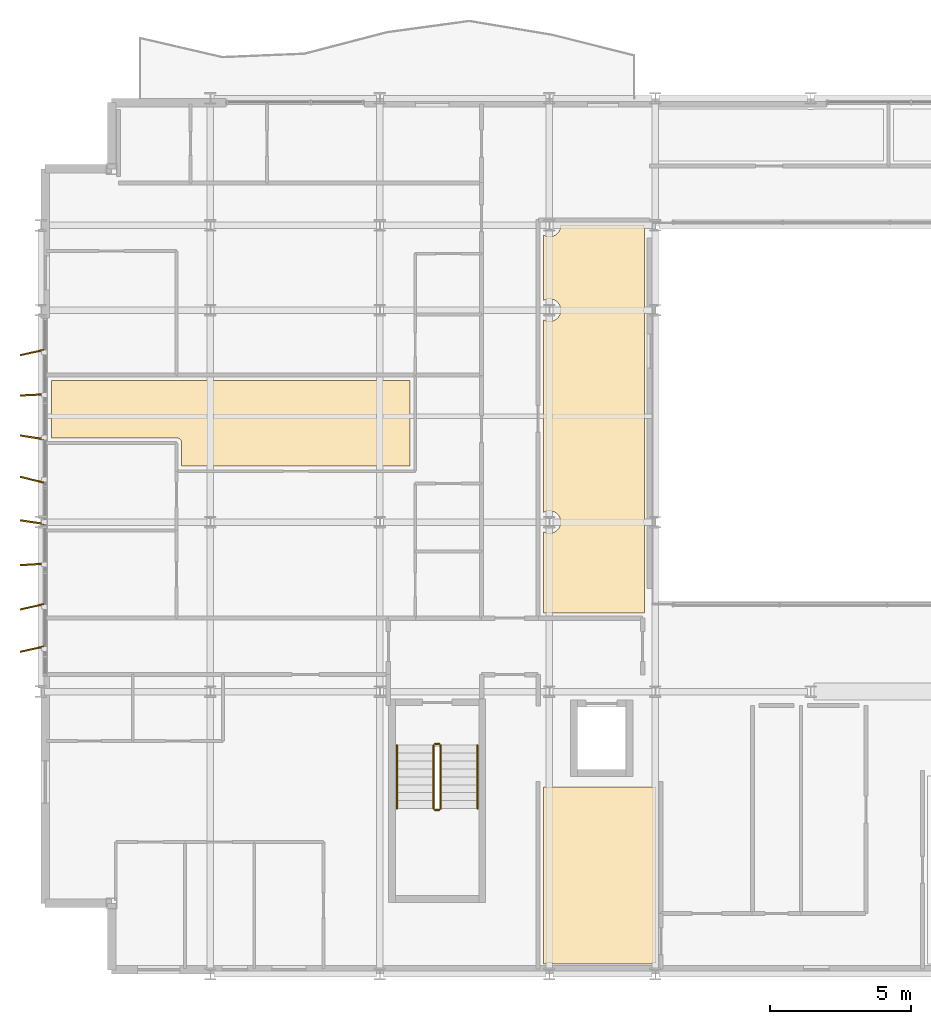
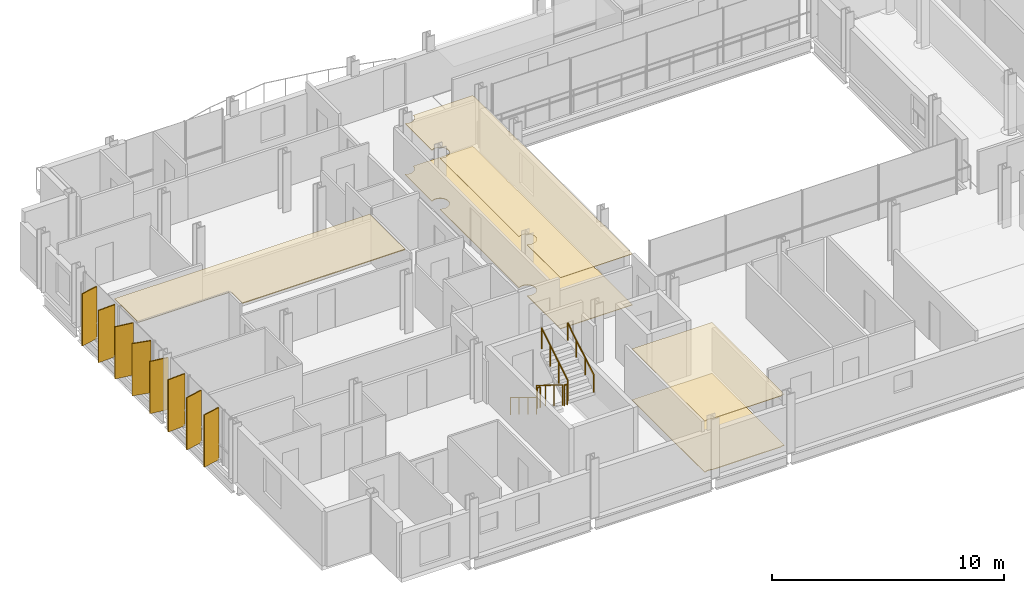
# One storey, part 37 of 40: 8 shading devices, 6 railings, 5 coverings.
"""IFC4 building model written with IfcOpenShell, lengths in metres."""

from ifc_helpers import new_model, si_unit, direction, frame, origin, origin_2d, place, context, subcontext, project, spatial, polyline, rectangle, circle, outline, extrude, material, layer, layer_set, type_object, element, save


model = new_model("IFC4")

# Units and contexts
model_context = context("Model", 3, precision=1e-05, world=origin(), true_north=direction((0.0, 1.0)))
body_context = subcontext(model_context, "Body", "Model", "MODEL_VIEW")
ifc_project = project(units=[si_unit("LENGTHUNIT", "METRE"), si_unit("AREAUNIT", "SQUARE_METRE"), si_unit("VOLUMEUNIT", "CUBIC_METRE"), si_unit("PLANEANGLEUNIT", "RADIAN"), si_unit("MASSUNIT", "GRAM", prefix="KILO")], contexts=[model_context])

# Site, building, storey
site_placement = place(None, origin())
site = spatial("IfcSite", under=ifc_project, at=site_placement, CompositionType="ELEMENT")
building_placement = place(site_placement, origin())
building = spatial("IfcBuilding", under=site, at=building_placement, Name="Brevholm Reach", CompositionType="ELEMENT")
storey_placement = place(building_placement, frame((0.0, 0.0, 160.39990234375)))
storey = spatial("IfcBuildingStorey", under=building, at=storey_placement, Name="L48", CompositionType="ELEMENT", Elevation=160.39990234375)

# Coverings
ifc_material_1 = material(Name="Perforated Mineral-Fibre Class-A Acoustic Suspended Ceiling", Category="gypsum")
ifc_layer_1 = layer(ifc_material_1, 0.044921875)
ifc_layer_set_1 = layer_set([ifc_layer_1], Name="Perforated Mineral-Fibre Class-A Acoustic Suspended Ceiling")
covering_type_1 = type_object("IfcCoveringType", Name="COV-CLG-AC", PredefinedType="CEILING", material=ifc_layer_set_1)
covering_1_placement = place(storey_placement, frame((0.0, 0.0, 2.6650390625)))
element("IfcCovering", 1, at=covering_1_placement, inside=storey, type_object=covering_type_1, Name="L48 Suspended Ceiling L48-45", PredefinedType="CEILING", context=body_context, shape_type="SweptSolid", body=[
    extrude(outline(polyline([(0.3798828125, 21.02001953125), (13.070068359375, 21.02001953125), (13.070068359375, 17.97998046875), (4.98388671875, 17.97998046875), (4.98388671875, 18.800048828125), (4.983154296875, 18.817626953125), (4.98046875, 18.835205078125), (4.976318359375, 18.852294921875), (4.97021484375, 18.868896484375), (4.962890625, 18.884765625), (4.95361328125, 18.89990234375), (4.943115234375, 18.914306640625), (4.93994140625, 18.918212890625), (4.927978515625, 18.93115234375), (4.9150390625, 18.943115234375), (4.90087890625, 18.95361328125), (4.8857421875, 18.962646484375), (4.86962890625, 18.97021484375), (4.85302734375, 18.97607421875), (4.8359375, 18.98046875), (4.818359375, 18.98291015625), (4.80078125, 18.98388671875), (0.3798828125, 18.98388671875), (0.3798828125, 21.02001953125)])), origin(), (0.0, 0.0, 1.0), 0.045166015625),
])
ifc_material_2 = material(Name="Moisture-Resistant Skimmed Gypsum Plasterboard Ceiling", Category="gypsum")
ifc_layer_2 = layer(ifc_material_2, 0.030029296875)
ifc_layer_set_2 = layer_set([ifc_layer_2], Name="Moisture-Resistant Skimmed Gypsum Plasterboard Ceiling")
covering_type_2 = type_object("IfcCoveringType", Name="COV-CLG-GYP", PredefinedType="CEILING", material=ifc_layer_set_2)
covering_2_placement = place(storey_placement, frame((0.0, 0.0, 2.68017578125)))
element("IfcCovering", 2, at=covering_2_placement, inside=storey, type_object=covering_type_2, Name="L48 Suspended Ceiling L48-24", PredefinedType="CEILING", context=body_context, shape_type="SweptSolid", body=[
    extrude(outline(polyline([(21.76611328125, 6.6201171875), (21.76611328125, 0.399169921875), (21.75, 0.39990234375), (21.710693359375, 0.398193359375), (21.672119140625, 0.392333984375), (21.6337890625, 0.3828125), (21.596923828125, 0.36962890625), (21.57666015625, 0.360107421875), (18.17333984375, 0.360107421875), (18.153076171875, 0.36962890625), (18.1162109375, 0.3828125), (18.077880859375, 0.392333984375), (18.039306640625, 0.398193359375), (18.0, 0.39990234375), (17.960693359375, 0.398193359375), (17.922119140625, 0.392333984375), (17.8837890625, 0.3828125), (17.846923828125, 0.36962890625), (17.82666015625, 0.360107421875), (17.783935546875, 0.360107421875), (17.783935546875, 6.6201171875), (21.76611328125, 6.6201171875)])), origin(), (0.0, 0.0, 1.0), 0.030029296875),
])
covering_3_placement = place(storey_placement, frame((0.0, 0.0, 2.68017578125)))
element("IfcCovering", 3, at=covering_3_placement, inside=storey, type_object=covering_type_2, Name="L48 Suspended Ceiling L48-61", PredefinedType="CEILING", context=body_context, shape_type="SweptSolid", body=[
    extrude(outline(polyline([(21.3701171875, 23.623779296875), (21.3671875, 23.6162109375), (21.357666015625, 23.577880859375), (21.351806640625, 23.539306640625), (21.35009765625, 23.5), (21.351806640625, 23.460693359375), (21.357666015625, 23.422119140625), (21.3671875, 23.3837890625), (21.3701171875, 23.376220703125), (21.3701171875, 16.123779296875), (21.3671875, 16.1162109375), (21.357666015625, 16.077880859375), (21.351806640625, 16.039306640625), (21.35009765625, 16.0), (21.351806640625, 15.960693359375), (21.357666015625, 15.922119140625), (21.3671875, 15.8837890625), (21.3701171875, 15.876220703125), (21.3701171875, 12.783935546875), (17.783935546875, 12.783935546875), (17.783935546875, 15.663818359375), (17.811279296875, 15.647216796875), (17.846923828125, 15.63037109375), (17.8837890625, 15.6171875), (17.922119140625, 15.607666015625), (17.960693359375, 15.601806640625), (18.0, 15.60009765625), (18.039306640625, 15.601806640625), (18.077880859375, 15.607666015625), (18.1162109375, 15.6171875), (18.153076171875, 15.63037109375), (18.188720703125, 15.647216796875), (18.22216796875, 15.66748046875), (18.25390625, 15.69091796875), (18.28271484375, 15.71728515625), (18.30908203125, 15.74609375), (18.33251953125, 15.77783203125), (18.352783203125, 15.811279296875), (18.36962890625, 15.846923828125), (18.3828125, 15.8837890625), (18.392333984375, 15.922119140625), (18.398193359375, 15.960693359375), (18.39990234375, 16.0), (18.398193359375, 16.039306640625), (18.392333984375, 16.077880859375), (18.3828125, 16.1162109375), (18.36962890625, 16.153076171875), (18.352783203125, 16.188720703125), (18.33251953125, 16.22216796875), (18.30908203125, 16.25390625), (18.28271484375, 16.28271484375), (18.25390625, 16.30908203125), (18.22216796875, 16.33251953125), (18.188720703125, 16.352783203125), (18.153076171875, 16.36962890625), (18.1162109375, 16.3828125), (18.077880859375, 16.392333984375), (18.039306640625, 16.398193359375), (18.0, 16.39990234375), (17.960693359375, 16.398193359375), (17.922119140625, 16.392333984375), (17.8837890625, 16.3828125), (17.846923828125, 16.36962890625), (17.811279296875, 16.352783203125), (17.783935546875, 16.336181640625), (17.783935546875, 23.163818359375), (17.811279296875, 23.147216796875), (17.846923828125, 23.13037109375), (17.8837890625, 23.1171875), (17.922119140625, 23.107666015625), (17.960693359375, 23.101806640625), (18.0, 23.10009765625), (18.039306640625, 23.101806640625), (18.077880859375, 23.107666015625), (18.1162109375, 23.1171875), (18.153076171875, 23.13037109375), (18.188720703125, 23.147216796875), (18.22216796875, 23.16748046875), (18.25390625, 23.19091796875), (18.28271484375, 23.21728515625), (18.30908203125, 23.24609375), (18.33251953125, 23.27783203125), (18.352783203125, 23.311279296875), (18.36962890625, 23.346923828125), (18.3828125, 23.3837890625), (18.392333984375, 23.422119140625), (18.398193359375, 23.460693359375), (18.39990234375, 23.5), (18.398193359375, 23.539306640625), (18.392333984375, 23.577880859375), (18.3828125, 23.6162109375), (18.36962890625, 23.653076171875), (18.352783203125, 23.688720703125), (18.33251953125, 23.72216796875), (18.30908203125, 23.75390625), (18.28271484375, 23.78271484375), (18.25390625, 23.80908203125), (18.22216796875, 23.83251953125), (18.188720703125, 23.852783203125), (18.153076171875, 23.86962890625), (18.1162109375, 23.8828125), (18.077880859375, 23.892333984375), (18.039306640625, 23.898193359375), (18.0, 23.89990234375), (17.960693359375, 23.898193359375), (17.922119140625, 23.892333984375), (17.8837890625, 23.8828125), (17.846923828125, 23.86962890625), (17.811279296875, 23.852783203125), (17.783935546875, 23.836181640625), (17.783935546875, 26.163818359375), (17.811279296875, 26.147216796875), (17.846923828125, 26.13037109375), (17.8837890625, 26.1171875), (17.922119140625, 26.107666015625), (17.960693359375, 26.101806640625), (18.0, 26.10009765625), (18.039306640625, 26.101806640625), (18.077880859375, 26.107666015625), (18.1162109375, 26.1171875), (18.153076171875, 26.13037109375), (18.188720703125, 26.147216796875), (18.22216796875, 26.16748046875), (18.25390625, 26.19091796875), (18.28271484375, 26.21728515625), (18.30908203125, 26.24609375), (18.33251953125, 26.27783203125), (18.352783203125, 26.311279296875), (18.36962890625, 26.346923828125), (18.3828125, 26.3837890625), (18.392333984375, 26.422119140625), (18.398193359375, 26.460693359375), (18.39990234375, 26.5), (18.399169921875, 26.51611328125), (21.350830078125, 26.51611328125), (21.35009765625, 26.5), (21.351806640625, 26.460693359375), (21.357666015625, 26.422119140625), (21.3671875, 26.3837890625), (21.3701171875, 26.376220703125), (21.3701171875, 23.623779296875)])), origin(), (0.0, 0.0, 1.0), 0.030029296875),
])
ifc_material_3 = material(Name="Honed Portland-Aggregate Resin Terrazzo Flooring", Category="concrete")
ifc_layer_3 = layer(ifc_material_3, 0.031982421875)
ifc_layer_set_3 = layer_set([ifc_layer_3], Name="Honed Portland-Aggregate Resin Terrazzo Flooring")
covering_type_3 = type_object("IfcCoveringType", Name="COV-FLR-TRZ", PredefinedType="FLOORING", material=ifc_layer_set_3)
covering_4_placement = place(storey_placement, origin())
element("IfcCovering", 4, at=covering_4_placement, inside=storey, type_object=covering_type_3, Name="L48 Floor Finish L48-24", PredefinedType="FLOORING", context=body_context, shape_type="SweptSolid", body=[
    extrude(outline(polyline([(21.76611328125, 6.6201171875), (21.76611328125, 0.399169921875), (21.75, 0.39990234375), (21.710693359375, 0.398193359375), (21.672119140625, 0.392333984375), (21.6337890625, 0.3828125), (21.596923828125, 0.36962890625), (21.57666015625, 0.360107421875), (18.17333984375, 0.360107421875), (18.153076171875, 0.36962890625), (18.1162109375, 0.3828125), (18.077880859375, 0.392333984375), (18.039306640625, 0.398193359375), (18.0, 0.39990234375), (17.960693359375, 0.398193359375), (17.922119140625, 0.392333984375), (17.8837890625, 0.3828125), (17.846923828125, 0.36962890625), (17.82666015625, 0.360107421875), (17.783935546875, 0.360107421875), (17.783935546875, 6.6201171875), (21.76611328125, 6.6201171875)])), origin(), (0.0, 0.0, 1.0), 0.031982421875),
])
covering_5_placement = place(storey_placement, origin())
element("IfcCovering", 5, at=covering_5_placement, inside=storey, type_object=covering_type_3, Name="L48 Floor Finish L48-61", PredefinedType="FLOORING", context=body_context, shape_type="SweptSolid", body=[
    extrude(outline(polyline([(21.3701171875, 23.623779296875), (21.3671875, 23.6162109375), (21.357666015625, 23.577880859375), (21.351806640625, 23.539306640625), (21.35009765625, 23.5), (21.351806640625, 23.460693359375), (21.357666015625, 23.422119140625), (21.3671875, 23.3837890625), (21.3701171875, 23.376220703125), (21.3701171875, 16.123779296875), (21.3671875, 16.1162109375), (21.357666015625, 16.077880859375), (21.351806640625, 16.039306640625), (21.35009765625, 16.0), (21.351806640625, 15.960693359375), (21.357666015625, 15.922119140625), (21.3671875, 15.8837890625), (21.3701171875, 15.876220703125), (21.3701171875, 12.783935546875), (17.783935546875, 12.783935546875), (17.783935546875, 15.663818359375), (17.811279296875, 15.647216796875), (17.846923828125, 15.63037109375), (17.8837890625, 15.6171875), (17.922119140625, 15.607666015625), (17.960693359375, 15.601806640625), (18.0, 15.60009765625), (18.039306640625, 15.601806640625), (18.077880859375, 15.607666015625), (18.1162109375, 15.6171875), (18.153076171875, 15.63037109375), (18.188720703125, 15.647216796875), (18.22216796875, 15.66748046875), (18.25390625, 15.69091796875), (18.28271484375, 15.71728515625), (18.30908203125, 15.74609375), (18.33251953125, 15.77783203125), (18.352783203125, 15.811279296875), (18.36962890625, 15.846923828125), (18.3828125, 15.8837890625), (18.392333984375, 15.922119140625), (18.398193359375, 15.960693359375), (18.39990234375, 16.0), (18.398193359375, 16.039306640625), (18.392333984375, 16.077880859375), (18.3828125, 16.1162109375), (18.36962890625, 16.153076171875), (18.352783203125, 16.188720703125), (18.33251953125, 16.22216796875), (18.30908203125, 16.25390625), (18.28271484375, 16.28271484375), (18.25390625, 16.30908203125), (18.22216796875, 16.33251953125), (18.188720703125, 16.352783203125), (18.153076171875, 16.36962890625), (18.1162109375, 16.3828125), (18.077880859375, 16.392333984375), (18.039306640625, 16.398193359375), (18.0, 16.39990234375), (17.960693359375, 16.398193359375), (17.922119140625, 16.392333984375), (17.8837890625, 16.3828125), (17.846923828125, 16.36962890625), (17.811279296875, 16.352783203125), (17.783935546875, 16.336181640625), (17.783935546875, 23.163818359375), (17.811279296875, 23.147216796875), (17.846923828125, 23.13037109375), (17.8837890625, 23.1171875), (17.922119140625, 23.107666015625), (17.960693359375, 23.101806640625), (18.0, 23.10009765625), (18.039306640625, 23.101806640625), (18.077880859375, 23.107666015625), (18.1162109375, 23.1171875), (18.153076171875, 23.13037109375), (18.188720703125, 23.147216796875), (18.22216796875, 23.16748046875), (18.25390625, 23.19091796875), (18.28271484375, 23.21728515625), (18.30908203125, 23.24609375), (18.33251953125, 23.27783203125), (18.352783203125, 23.311279296875), (18.36962890625, 23.346923828125), (18.3828125, 23.3837890625), (18.392333984375, 23.422119140625), (18.398193359375, 23.460693359375), (18.39990234375, 23.5), (18.398193359375, 23.539306640625), (18.392333984375, 23.577880859375), (18.3828125, 23.6162109375), (18.36962890625, 23.653076171875), (18.352783203125, 23.688720703125), (18.33251953125, 23.72216796875), (18.30908203125, 23.75390625), (18.28271484375, 23.78271484375), (18.25390625, 23.80908203125), (18.22216796875, 23.83251953125), (18.188720703125, 23.852783203125), (18.153076171875, 23.86962890625), (18.1162109375, 23.8828125), (18.077880859375, 23.892333984375), (18.039306640625, 23.898193359375), (18.0, 23.89990234375), (17.960693359375, 23.898193359375), (17.922119140625, 23.892333984375), (17.8837890625, 23.8828125), (17.846923828125, 23.86962890625), (17.811279296875, 23.852783203125), (17.783935546875, 23.836181640625), (17.783935546875, 26.163818359375), (17.811279296875, 26.147216796875), (17.846923828125, 26.13037109375), (17.8837890625, 26.1171875), (17.922119140625, 26.107666015625), (17.960693359375, 26.101806640625), (18.0, 26.10009765625), (18.039306640625, 26.101806640625), (18.077880859375, 26.107666015625), (18.1162109375, 26.1171875), (18.153076171875, 26.13037109375), (18.188720703125, 26.147216796875), (18.22216796875, 26.16748046875), (18.25390625, 26.19091796875), (18.28271484375, 26.21728515625), (18.30908203125, 26.24609375), (18.33251953125, 26.27783203125), (18.352783203125, 26.311279296875), (18.36962890625, 26.346923828125), (18.3828125, 26.3837890625), (18.392333984375, 26.422119140625), (18.398193359375, 26.460693359375), (18.39990234375, 26.5), (18.399169921875, 26.51611328125), (21.350830078125, 26.51611328125), (21.35009765625, 26.5), (21.351806640625, 26.460693359375), (21.357666015625, 26.422119140625), (21.3671875, 26.3837890625), (21.3701171875, 26.376220703125), (21.3701171875, 23.623779296875)])), origin(), (0.0, 0.0, 1.0), 0.031982421875),
])

# Railings
ifc_material_4 = material(Name="Brushed Stainless Steel EN 1.4401 Continuous Handrail", Category="steel")
railing_type_1 = type_object("IfcRailingType", Name="RAL-HND-950", PredefinedType="HANDRAIL", material=ifc_material_4)
railing_1_placement = place(storey_placement, frame((12.60009765625, 8.10009765625, 0.17236328125)))
element("IfcRailing", 6, at=railing_1_placement, inside=storey, type_object=railing_type_1, Name="L48 ST-1 stair handrail 1", PredefinedType="HANDRAIL", context=body_context, shape_type="SweptSolid", body=[
    extrude(circle(Radius=0.02392578125, at=origin_2d()), frame((0.0, 0.0, 0.8857421875), z_axis=(0.0, -0.85178898068, 0.523885037382), x_axis=(1.0, 0.0, 0.0)), (0.0, 0.0, 1.0), 2.629638671875),
    extrude(circle(Radius=0.02099609375, at=origin_2d()), origin(), (0.0, 0.0, 1.0), 0.86181640625),
    extrude(circle(Radius=0.02099609375, at=origin_2d()), frame((0.0, -0.74658203125, 0.459228515625)), (0.0, 0.0, 1.0), 0.86181640625),
    extrude(circle(Radius=0.02099609375, at=origin_2d()), frame((0.0, -1.493408203125, 0.91845703125)), (0.0, 0.0, 1.0), 0.86181640625),
    extrude(circle(Radius=0.02099609375, at=origin_2d()), frame((0.0, -2.239990234375, 1.377685546875)), (0.0, 0.0, 1.0), 0.86181640625),
])
railing_2_placement = place(storey_placement, frame((15.449951171875, 5.860107421875, 1.722412109375)))
element("IfcRailing", 7, at=railing_2_placement, inside=storey, type_object=railing_type_1, Name="L48 ST-1 stair handrail 2", PredefinedType="HANDRAIL", context=body_context, shape_type="SweptSolid", body=[
    extrude(circle(Radius=0.02392578125, at=origin_2d()), frame((0.0, 0.0, 0.8857421875), z_axis=(0.0, 0.85178898068, 0.523885037382), x_axis=(-1.0, 0.0, 0.0)), (0.0, 0.0, 1.0), 2.629638671875),
    extrude(circle(Radius=0.02099609375, at=origin_2d()), origin(), (0.0, 0.0, 1.0), 0.86181640625),
    extrude(circle(Radius=0.02099609375, at=origin_2d()), frame((0.0, 0.74658203125, 0.459228515625)), (0.0, 0.0, 1.0), 0.86181640625),
    extrude(circle(Radius=0.02099609375, at=origin_2d()), frame((0.0, 1.493408203125, 0.91845703125)), (0.0, 0.0, 1.0), 0.86181640625),
    extrude(circle(Radius=0.02099609375, at=origin_2d()), frame((0.0, 2.239990234375, 1.377685546875)), (0.0, 0.0, 1.0), 0.86181640625),
])
ifc_material_5 = material(Name="Painted Tubular Galvanised Steel S275JR Stair Guard", Category="steel")
railing_type_2 = type_object("IfcRailingType", Name="RAL-STG-1120", PredefinedType="BALUSTRADE", material=ifc_material_5)
railing_3_placement = place(storey_placement, frame((13.89990234375, 8.10009765625, 0.17236328125)))
element("IfcRailing", 8, at=railing_3_placement, inside=storey, type_object=railing_type_2, Name="L48 ST-1 stair guard 1", PredefinedType="BALUSTRADE", context=body_context, shape_type="SweptSolid", body=[
    extrude(circle(Radius=0.02392578125, at=origin_2d()), frame((0.0, 0.0, 1.076171875), z_axis=(0.0, -0.85178898068, 0.523885037382), x_axis=(1.0, 0.0, 0.0)), (0.0, 0.0, 1.0), 2.629638671875),
    extrude(circle(Radius=0.02099609375, at=origin_2d()), origin(), (0.0, 0.0, 1.0), 1.052001953125),
    extrude(circle(Radius=0.02099609375, at=origin_2d()), frame((0.0, -0.74658203125, 0.459228515625)), (0.0, 0.0, 1.0), 1.052001953125),
    extrude(circle(Radius=0.02099609375, at=origin_2d()), frame((0.0, -1.493408203125, 0.91845703125)), (0.0, 0.0, 1.0), 1.052001953125),
    extrude(circle(Radius=0.02099609375, at=origin_2d()), frame((0.0, -2.239990234375, 1.377685546875)), (0.0, 0.0, 1.0), 1.052001953125),
])
railing_4_placement = place(storey_placement, frame((13.949951171875, 5.81005859375, 1.550048828125)))
element("IfcRailing", 9, at=railing_4_placement, inside=storey, type_object=railing_type_2, Name="L48 ST-1 stair guard 2", PredefinedType="BALUSTRADE", context=body_context, shape_type="SweptSolid", body=[
    extrude(circle(Radius=0.02392578125, at=origin_2d()), frame((0.0, 0.0, 1.076171875), z_axis=(1.0, 0.0, 0.0), x_axis=(0.0, 1.0, 0.0)), (0.0, 0.0, 1.0), 0.150146484375),
    extrude(circle(Radius=0.02099609375, at=origin_2d()), origin(), (0.0, 0.0, 1.0), 1.052001953125),
    extrude(circle(Radius=0.02099609375, at=origin_2d()), frame((0.150146484375, 0.0, 0.0)), (0.0, 0.0, 1.0), 1.052001953125),
])
railing_5_placement = place(storey_placement, frame((14.14990234375, 5.860107421875, 1.722412109375)))
element("IfcRailing", 10, at=railing_5_placement, inside=storey, type_object=railing_type_2, Name="L48 ST-1 stair guard 3", PredefinedType="BALUSTRADE", context=body_context, shape_type="SweptSolid", body=[
    extrude(circle(Radius=0.02392578125, at=origin_2d()), frame((0.0, 0.0, 1.076171875), z_axis=(0.0, 0.85178898068, 0.523885037382), x_axis=(-1.0, 0.0, 0.0)), (0.0, 0.0, 1.0), 2.629638671875),
    extrude(circle(Radius=0.02099609375, at=origin_2d()), origin(), (0.0, 0.0, 1.0), 1.052001953125),
    extrude(circle(Radius=0.02099609375, at=origin_2d()), frame((0.0, 0.74658203125, 0.459228515625)), (0.0, 0.0, 1.0), 1.052001953125),
    extrude(circle(Radius=0.02099609375, at=origin_2d()), frame((0.0, 1.493408203125, 0.91845703125)), (0.0, 0.0, 1.0), 1.052001953125),
    extrude(circle(Radius=0.02099609375, at=origin_2d()), frame((0.0, 2.239990234375, 1.377685546875)), (0.0, 0.0, 1.0), 1.052001953125),
])
railing_6_placement = place(storey_placement, frame((13.949951171875, 8.14990234375, 0.0)))
element("IfcRailing", 11, at=railing_6_placement, inside=storey, type_object=railing_type_2, Name="L48 ST-1 stair guard 4", PredefinedType="BALUSTRADE", context=body_context, shape_type="SweptSolid", body=[
    extrude(circle(Radius=0.02392578125, at=origin_2d()), frame((0.0, 0.0, 1.076171875), z_axis=(1.0, 0.0, 0.0), x_axis=(0.0, 1.0, 0.0)), (0.0, 0.0, 1.0), 0.150146484375),
    extrude(circle(Radius=0.02099609375, at=origin_2d()), origin(), (0.0, 0.0, 1.0), 1.052001953125),
    extrude(circle(Radius=0.02099609375, at=origin_2d()), frame((0.150146484375, 0.0, 0.0)), (0.0, 0.0, 1.0), 1.052001953125),
])

# Shading devices
ifc_material_6 = material(Name="Perforated Champagne-Bronze Anodised Aluminium", Category="aluminium")
ifc_layer_4 = layer(ifc_material_6, 0.054931640625)
ifc_layer_set_4 = layer_set([ifc_layer_4], Name="Perforated Champagne-Bronze Anodised Aluminium")
shading_device_type = type_object("IfcShadingDeviceType", Name="SHD-FIN-850", PredefinedType="USERDEFINED", material=ifc_layer_set_4)
for number, where, z_axis, x_axis, name in (
    (12, (-0.31494140625, 11.5, 0.0703125), (0.0, 0.0, 1.0), (-0.976574733978, -0.215178504864, 0.0), "L48 Perforated Solar Screen Fin 1"),
    (13, (-0.31494140625, 13.0, 0.0703125), (0.0, 0.0, 1.0), (-0.97518800696, -0.221378298577, 0.0), "L48 Perforated Solar Screen Fin 2"),
    (14, (-0.31494140625, 14.5, 0.0703125), (0.0, 0.0, 1.0), (-0.998110211547, -0.061449211593, 0.0), "L48 Perforated Solar Screen Fin 3"),
    (15, (-0.31494140625, 16.0, 0.0703125), (0.0, 0.0, 1.0), (-0.989279980496, 0.146031230184, 0.0), "L48 Perforated Solar Screen Fin 4"),
    (16, (-0.31494140625, 17.5, 0.0703125), (0.0, 0.0, 1.0), (-0.970321054957, 0.241820285143, 0.0), "L48 Perforated Solar Screen Fin 5"),
    (17, (-0.31494140625, 19.0, 0.0703125), (0.0, 0.0, 1.0), (-0.987543212335, 0.157348033899, 0.0), "L48 Perforated Solar Screen Fin 6"),
    (18, (-0.31494140625, 20.5, 0.0703125), (0.0, 0.0, 1.0), (-0.998885760345, -0.047193620116, 0.0), "L48 Perforated Solar Screen Fin 7"),
    (19, (-0.31494140625, 22.0, 0.0703125), (0.0, 0.0, 1.0), (-0.976574733978, -0.215178504864, 0.0), "L48 Perforated Solar Screen Fin 8"),
):
    element("IfcShadingDevice", number, at=place(storey_placement, frame(where, z_axis=z_axis, x_axis=x_axis)), inside=storey, type_object=shading_device_type, Name=name, ObjectType="SCREEN", PredefinedType="USERDEFINED", context=body_context, shape_type="SweptSolid", body=[
        extrude(rectangle(XDim=0.85009765625, YDim=0.054931640625, at=origin_2d()), origin(), (0.0, 0.0, 1.0), 2.739990234375),
    ])

save(model, "model.ifc")
